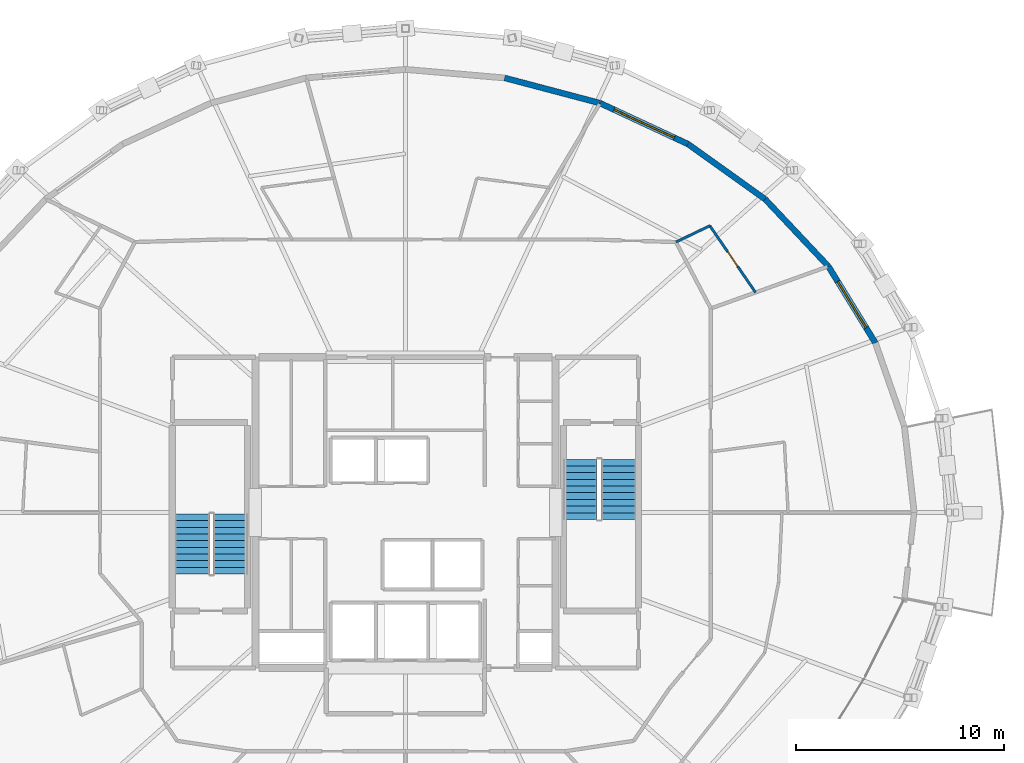
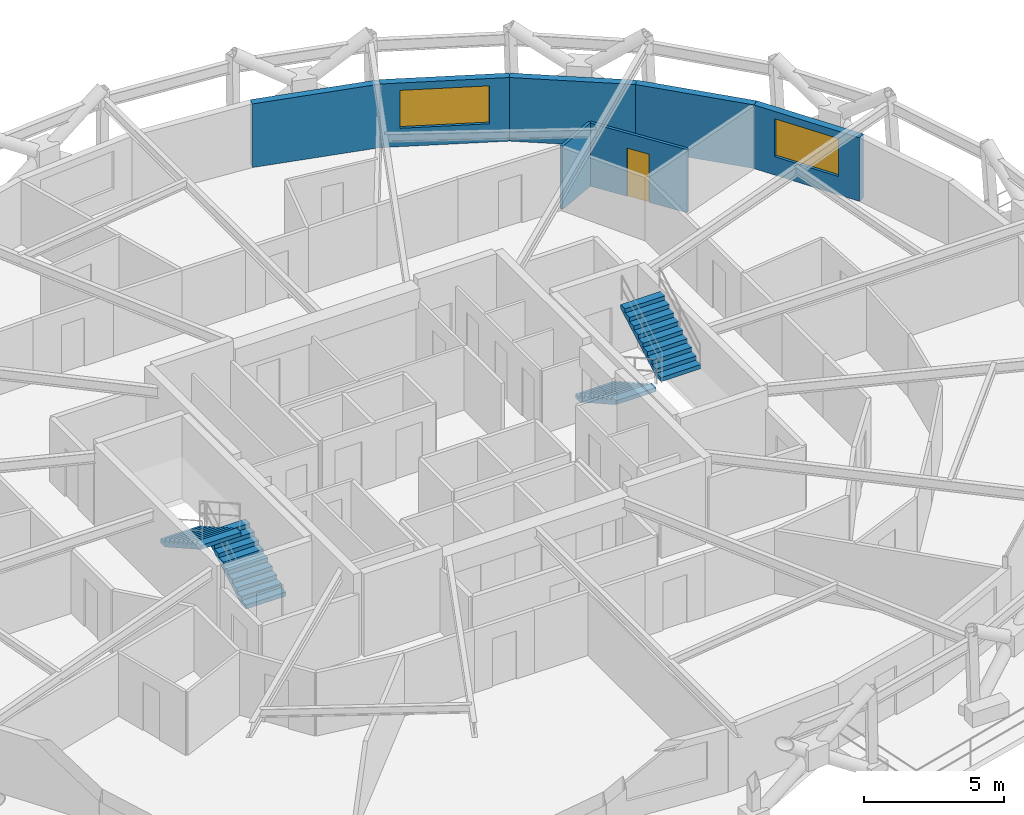
# One storey, part 13 of 14: 7 walls, 4 stair flights, 2 windows, 1 door, 3 openings, 2 elements without a shape of their own.
"""IFC4 building model written with IfcOpenShell, lengths in metres."""

import ifcopenshell
import ifcopenshell.guid

model = None  # the IFC model being written
_history = None  # IfcOwnerHistory: only IFC2X3 demands one
_inside = {}  # id of a spatial element -> (the spatial element, [elements in it])
_under = {}  # id of a project, library or spatial element -> (it, [spatial elements below it])
_declared = {}  # id of a project -> (the project, [libraries it declares])
_typed = {}  # id of a type object -> (the type object, [elements of that type])
_made_of = {}  # id of a material, layer set ... -> (it, [elements and type objects made of it])


def new_model(schema):
    """Start an empty IFC model of exactly this schema.

    Asked for "IFC4X3", IfcOpenShell would pick the latest addendum, in which some entities
    have other attributes; the version numbers below select the first issue.
    IFC2X3 requires an IfcOwnerHistory on every rooted entity: one is made here for all.
    """
    global model, _history
    if schema == "IFC4X3":
        model = ifcopenshell.file(schema_version=(4, 3, 0, 0))
    else:
        model = ifcopenshell.file(schema=schema)
    _inside.clear()
    _under.clear()
    _declared.clear()
    _typed.clear()
    _made_of.clear()
    _history = None
    if model.schema == "IFC2X3":
        org = make("IfcOrganization", Name="unknown")
        user = make(
            "IfcPersonAndOrganization",
            ThePerson=make("IfcPerson", FamilyName="unknown"),
            TheOrganization=org,
        )
        app = make(
            "IfcApplication",
            ApplicationDeveloper=org,
            Version="unknown",
            ApplicationFullName="unknown",
            ApplicationIdentifier="unknown",
        )
        _history = make(
            "IfcOwnerHistory",
            OwningUser=user,
            OwningApplication=app,
            ChangeAction="ADDED",
            CreationDate=0,
        )
    return model


def make(cls, **values):
    """One entity of the class cls with the attributes given. An attribute that is None is left unset."""
    return model.create_entity(
        cls, **{name: value for name, value in values.items() if value is not None}
    )


def rooted(cls, **values):
    """An entity with a GlobalId (a new one), such as an element, a storey or a relation."""
    return make(cls, GlobalId=ifcopenshell.guid.new(), OwnerHistory=_history, **values)


def si_unit(unit_type, name, prefix=None):
    """IfcSIUnit, for example si_unit("LENGTHUNIT", "METRE", prefix="MILLI")."""
    return make("IfcSIUnit", UnitType=unit_type, Prefix=prefix, Name=name)


def assignment(units):
    """IfcUnitAssignment: the units of a project."""
    return None if units is None else make("IfcUnitAssignment", Units=units)


def point(xyz):
    """IfcCartesianPoint."""
    return None if xyz is None else make("IfcCartesianPoint", Coordinates=xyz)


def direction(xyz):
    """IfcDirection."""
    return None if xyz is None else make("IfcDirection", DirectionRatios=xyz)


def frame(location, z_axis=None, x_axis=None):
    """IfcAxis2Placement3D, a coordinate frame: its origin and axes. An axis left out is left unset."""
    return make(
        "IfcAxis2Placement3D",
        Location=point(location),
        Axis=direction(z_axis),
        RefDirection=direction(x_axis),
    )


def frame_2d(location, x_axis=None):
    """IfcAxis2Placement2D, a coordinate frame in the plane: its origin and x axis."""
    return make(
        "IfcAxis2Placement2D", Location=point(location), RefDirection=direction(x_axis)
    )


def origin():
    """The frame at (0, 0, 0) with its axes left unset."""
    return frame((0.0, 0.0, 0.0))


def place(relative_to, where):
    """IfcLocalPlacement: puts the frame where relative to a parent placement (None: the world)."""
    return make(
        "IfcLocalPlacement", PlacementRelTo=relative_to, RelativePlacement=where
    )


def context(
    kind, dimensions, precision=None, world=None, true_north=None, identifier=None
):
    """IfcGeometricRepresentationContext, for example the 3D "Model" context."""
    return make(
        "IfcGeometricRepresentationContext",
        ContextIdentifier=identifier,
        ContextType=kind,
        CoordinateSpaceDimension=dimensions,
        Precision=precision,
        WorldCoordinateSystem=world,
        TrueNorth=true_north,
    )


def subcontext(parent, identifier, kind, view, scale=None):
    """IfcGeometricRepresentationSubContext, for example "Body" below "Model"."""
    return make(
        "IfcGeometricRepresentationSubContext",
        ContextIdentifier=identifier,
        ContextType=kind,
        ParentContext=parent,
        TargetScale=scale,
        TargetView=view,
    )


def project(units=None, contexts=None):
    """IfcProject with its units and contexts."""
    return rooted(
        "IfcProject",
        Name="project",
        RepresentationContexts=contexts,
        UnitsInContext=assignment(units),
    )


def spatial(cls, under=None, at=None, **own):
    """A site, building, storey or space (cls), placed at a placement, below another one or the project."""
    s = rooted(cls, ObjectPlacement=at, **own)
    if under is not None:
        _under.setdefault(under.id(), (under, []))[1].append(s)
    return s


def polyline(points):
    """IfcPolyline through the points."""
    return make("IfcPolyline", Points=[point(p) for p in points])


def profile(cls, at=None, kind="AREA", **sizes):
    """A parametric profile (cls). Its sizes go by their IFC names, for example OverallWidth=200.0."""
    return make(cls, ProfileType=kind, Position=at, **sizes)


def rectangle(**sizes):
    """IfcRectangleProfileDef."""
    return profile("IfcRectangleProfileDef", **sizes)


def outline(outer, holes=None, kind="AREA"):
    """IfcArbitraryClosedProfileDef: a profile drawn as a closed curve; with holes, ...WithVoids."""
    if holes is None:
        return make("IfcArbitraryClosedProfileDef", ProfileType=kind, OuterCurve=outer)
    return make(
        "IfcArbitraryProfileDefWithVoids",
        ProfileType=kind,
        OuterCurve=outer,
        InnerCurves=holes,
    )


def extrude(swept, where, along, depth):
    """IfcExtrudedAreaSolid: the profile swept, set in the frame where, extruded along a direction by depth."""
    return make(
        "IfcExtrudedAreaSolid",
        SweptArea=swept,
        Position=where,
        ExtrudedDirection=direction(along),
        Depth=depth,
    )


def shape(context_of_items, identifier, shape_type, items):
    """IfcShapeRepresentation: the items that make up one representation, for example the "Body"."""
    return make(
        "IfcShapeRepresentation",
        ContextOfItems=context_of_items,
        RepresentationIdentifier=identifier,
        RepresentationType=shape_type,
        Items=items,
    )


def material(Name=None, Category=None):
    """IfcMaterial."""
    return make("IfcMaterial", Name=Name, Category=Category)


def layer(
    of_material, thickness, ventilated=None, Name=None, Category=None, Priority=None
):
    """IfcMaterialLayer: one layer of a wall or slab, of a material (None: an air gap)."""
    return make(
        "IfcMaterialLayer",
        Material=of_material,
        LayerThickness=thickness,
        IsVentilated=ventilated,
        Name=Name,
        Category=Category,
        Priority=Priority,
    )


def layer_set(layers, Name=None):
    """IfcMaterialLayerSet."""
    return make("IfcMaterialLayerSet", MaterialLayers=layers, LayerSetName=Name)


def made_of(thing, what):
    """Note that an element or type object is made of a material, layer set ...; save() writes the relation."""
    if what is not None:
        _made_of.setdefault(what.id(), (what, []))[1].append(thing)
    return thing


def type_object(cls, material=None, **own):
    """A type object (cls), such as IfcWallType, which elements share."""
    return made_of(rooted(cls, **own), material)


def element(
    cls,
    number,
    at=None,
    inside=None,
    cuts=None,
    type_object=None,
    material=None,
    context=None,
    identifier="Body",
    shape_type=None,
    held_by="IfcProductDefinitionShape",
    body=None,
    shapes=None,
    **own,
):
    """One element of the class cls, such as IfcWall. Its Tag is "e" and its number.

    at: its placement. inside: the storey or other place that contains it. cuts: it is an
    opening in that element (IfcRelVoidsElement). A single representation is given by context,
    identifier, shape_type and body (its items); several are given by shapes. held_by: the class
    of the entity that holds the representations. save() writes the other relations.
    """
    e = rooted(cls, Tag="e%d" % number, ObjectPlacement=at, **own)
    if body is not None:
        shapes = [shape(context, identifier, shape_type, body)]
    if shapes is not None:
        e.Representation = make(held_by, Representations=shapes)
    if inside is not None:
        _inside.setdefault(inside.id(), (inside, []))[1].append(e)
    if cuts is not None:
        rooted(
            "IfcRelVoidsElement", RelatingBuildingElement=cuts, RelatedOpeningElement=e
        )
    if type_object is not None:
        _typed.setdefault(type_object.id(), (type_object, []))[1].append(e)
    return made_of(e, material)


def fill(opening, filler):
    """IfcRelFillsElement: the door or window that sits in an opening."""
    return rooted(
        "IfcRelFillsElement",
        RelatingOpeningElement=opening,
        RelatedBuildingElement=filler,
    )


def aggregate(whole, parts):
    """IfcRelAggregates: a whole, such as a stair, and the parts it consists of."""
    return rooted("IfcRelAggregates", RelatingObject=whole, RelatedObjects=parts)


def save(model, path):
    """Write the relations noted so far, then the file.

    IfcRelAggregates (storeys below a building ...), IfcRelContainedInSpatialStructure (elements
    in a storey), IfcRelDefinesByType, IfcRelAssociatesMaterial and IfcRelDeclares: one each for
    every whole, place, type object, material and project.
    """
    for whole, parts in _under.values():
        aggregate(whole, parts)
    for where, things in _inside.values():
        rooted(
            "IfcRelContainedInSpatialStructure",
            RelatedElements=things,
            RelatingStructure=where,
        )
    for kind, things in _typed.values():
        rooted("IfcRelDefinesByType", RelatedObjects=things, RelatingType=kind)
    for what, things in _made_of.values():
        rooted("IfcRelAssociatesMaterial", RelatedObjects=things, RelatingMaterial=what)
    for by, libraries in _declared.values():
        rooted("IfcRelDeclares", RelatingContext=by, RelatedDefinitions=libraries)
    model.write(path)


model = new_model("IFC4")

# Units and contexts
model_context = context("Model", 3, precision=1e-05, world=origin(), true_north=direction((0.0, 1.0)))
body_context = subcontext(model_context, "Body", "Model", "MODEL_VIEW")
ifc_project = project(units=[si_unit("LENGTHUNIT", "METRE"), si_unit("AREAUNIT", "SQUARE_METRE"), si_unit("VOLUMEUNIT", "CUBIC_METRE"), si_unit("PLANEANGLEUNIT", "RADIAN"), si_unit("MASSUNIT", "GRAM", prefix="KILO")], contexts=[model_context])

# Site, building, storey
site_placement = place(None, origin())
site = spatial("IfcSite", under=ifc_project, at=site_placement, CompositionType="ELEMENT")
building_placement = place(site_placement, origin())
building = spatial("IfcBuilding", under=site, at=building_placement, Name="Veldorina Hangang Commons", CompositionType="ELEMENT")
storey_placement = place(building_placement, frame((0.0, 0.0, 200.0)))
storey = spatial("IfcBuildingStorey", under=building, at=storey_placement, Name="L52", CompositionType="ELEMENT", Elevation=200.0)

# Wall, opening, window
ifc_material_1 = material(Name="Stone Roman Travertine", Category="masonry")
ifc_layer_1 = layer(ifc_material_1, 0.280029296875)
ifc_layer_set_1 = layer_set([ifc_layer_1], Name="Stone Roman Travertine")
wall_type_1 = type_object("IfcWallType", Name="EW-TRAV-280", PredefinedType="STANDARD", material=ifc_layer_set_1)
wall_1_placement = place(storey_placement, frame((54.543212890625, 32.134033203125, 0.0), z_axis=(0.0, 0.0, 1.0), x_axis=(-0.522997521468, 0.852334202375, 0.0)))
wall_1 = element("IfcWall", 1, at=wall_1_placement, inside=storey, type_object=wall_type_1, Name="L52 travertine facade wall 02", PredefinedType="STANDARD", context=body_context, shape_type="SweptSolid", body=[
    extrude(rectangle(XDim=4.3115234375, YDim=0.280029296875, at=frame_2d((2.15576171875, 0.0))), origin(), (0.0, 0.0, 1.0), 2.77001953125),
])
opening_1_placement = place(wall_1_placement, frame((0.855712890625, 0.0, 0.800048828125)))
opening_1 = element("IfcOpeningElement", 2, at=opening_1_placement, cuts=wall_1, Name="Opening W-02", PredefinedType="OPENING", context=body_context, shape_type="SweptSolid", body=[
    extrude(rectangle(XDim=2.60009765625, YDim=1.64990234375, at=frame_2d((1.300048828125, 0.824951171875))), frame((0.0, 0.14990234375, 0.0), z_axis=(0.0, -1.0, 0.0), x_axis=(1.0, 0.0, 0.0)), (0.0, 0.0, 1.0), 0.300048828125),
])
ifc_material_2 = material(Name="Glass Low-E Triple IGU", Category="glass")
window_type_1 = type_object("IfcWindowType", Name="WIN-TWR-2600", PartitioningType="SINGLE_PANEL", PredefinedType="WINDOW", material=ifc_material_2)
window_1_placement = place(opening_1_placement, origin())
window_1 = element("IfcWindow", 3, at=window_1_placement, inside=storey, type_object=window_type_1, Name="L52 facade window 02", OverallHeight=1.64990234375, OverallWidth=2.60009765625, PartitioningType="SINGLE_PANEL", PredefinedType="WINDOW", context=body_context, shape_type="SweptSolid", body=[
    extrude(rectangle(XDim=2.60009765625, YDim=1.64990234375, at=frame_2d((1.300048828125, 0.824951171875))), frame((0.0, 0.030029296875, 0.0), z_axis=(0.0, -1.0, 0.0), x_axis=(1.0, 0.0, 0.0)), (0.0, 0.0, 1.0), 0.06005859375),
])
fill(opening_1, window_1)

# Walls
wall_2_placement = place(storey_placement, frame((52.288330078125, 35.808837890625, 0.0), z_axis=(0.0, 0.0, 1.0), x_axis=(-0.685717407763, 0.727867870352, 0.0)))
element("IfcWall", 4, at=wall_2_placement, inside=storey, type_object=wall_type_1, Name="L52 travertine facade wall 03", PredefinedType="STANDARD", context=body_context, shape_type="SweptSolid", body=[
    extrude(rectangle(XDim=4.42529296875, YDim=0.280029296875, at=frame_2d((2.212646484375, 0.0))), origin(), (0.0, 0.0, 1.0), 2.77001953125),
])
wall_3_placement = place(storey_placement, frame((49.25390625, 39.02978515625, 0.0), z_axis=(0.0, 0.0, 1.0), x_axis=(-0.813519294528, 0.581537924327, 0.0)))
element("IfcWall", 5, at=wall_3_placement, inside=storey, type_object=wall_type_1, Name="L52 travertine facade wall 04", PredefinedType="STANDARD", context=body_context, shape_type="SweptSolid", body=[
    extrude(rectangle(XDim=4.54541015625, YDim=0.280029296875, at=frame_2d((2.272705078125, 0.0))), origin(), (0.0, 0.0, 1.0), 2.77001953125),
])

# Wall, opening, window
wall_4_placement = place(storey_placement, frame((45.55615234375, 41.673095703125, 0.0), z_axis=(0.0, 0.0, 1.0), x_axis=(-0.906555409807, 0.422086826315, 0.0)))
wall_4 = element("IfcWall", 6, at=wall_4_placement, inside=storey, type_object=wall_type_1, Name="L52 travertine facade wall 05", PredefinedType="STANDARD", context=body_context, shape_type="SweptSolid", body=[
    extrude(rectangle(XDim=4.6533203125, YDim=0.280029296875, at=frame_2d((2.32666015625, 0.0))), origin(), (0.0, 0.0, 1.0), 2.77001953125),
])
opening_2_placement = place(wall_4_placement, frame((0.726806640625, 0.0, 0.800048828125)))
opening_2 = element("IfcOpeningElement", 7, at=opening_2_placement, cuts=wall_4, Name="Opening W-01", PredefinedType="OPENING", context=body_context, shape_type="SweptSolid", body=[
    extrude(rectangle(XDim=3.199951171875, YDim=1.64990234375, at=frame_2d((1.60009765625, 0.824951171875))), frame((0.0, 0.14990234375, 0.0), z_axis=(0.0, -1.0, 0.0), x_axis=(1.0, 0.0, 0.0)), (0.0, 0.0, 1.0), 0.300048828125),
])
window_type_2 = type_object("IfcWindowType", Name="WIN-TWR-3200", PartitioningType="SINGLE_PANEL", PredefinedType="WINDOW", material=ifc_material_2)
window_2_placement = place(opening_2_placement, origin())
window_2 = element("IfcWindow", 8, at=window_2_placement, inside=storey, type_object=window_type_2, Name="L52 facade window 05", OverallHeight=1.64990234375, OverallWidth=3.199951171875, PartitioningType="SINGLE_PANEL", PredefinedType="WINDOW", context=body_context, shape_type="SweptSolid", body=[
    extrude(rectangle(XDim=3.199951171875, YDim=1.64990234375, at=frame_2d((1.60009765625, 0.824951171875))), frame((0.0, 0.030029296875, 0.0), z_axis=(0.0, -1.0, 0.0), x_axis=(1.0, 0.0, 0.0)), (0.0, 0.0, 1.0), 0.06005859375),
])
fill(opening_2, window_2)

# Wall
wall_5_placement = place(storey_placement, frame((41.337646484375, 43.63720703125, 0.0), z_axis=(0.0, 0.0, 1.0), x_axis=(-0.966819561224, 0.255460243549, 0.0)))
element("IfcWall", 9, at=wall_5_placement, inside=storey, type_object=wall_type_1, Name="L52 travertine facade wall 06", PredefinedType="STANDARD", context=body_context, shape_type="SweptSolid", body=[
    extrude(rectangle(XDim=4.734375, YDim=0.280029296875, at=frame_2d((2.3671875, 0.0))), origin(), (0.0, 0.0, 1.0), 2.77001953125),
])

# Wall, opening, door
ifc_material_3 = material(Name="Gypsum Acoustic Stud Partition", Category="gypsum")
ifc_layer_2 = layer(ifc_material_3, 0.1201171875)
ifc_layer_set_2 = layer_set([ifc_layer_2], Name="Gypsum Acoustic Stud Partition")
wall_type_2 = type_object("IfcWallType", Name="WL-PART-120", PredefinedType="PARTITIONING", material=ifc_layer_set_2)
wall_6_placement = place(storey_placement, frame((48.79248046875, 34.556396484375, 0.0), z_axis=(0.0, 0.0, 1.0), x_axis=(-0.56513068161, 0.825001401637, 0.0)))
wall_6 = element("IfcWall", 10, at=wall_6_placement, inside=storey, type_object=wall_type_2, Name="L52 Studio 3 bath front wall 092", PredefinedType="PARTITIONING", context=body_context, shape_type="SweptSolid", body=[
    extrude(rectangle(XDim=3.878173828125, YDim=0.1201171875, at=frame_2d((1.93896484375, 0.0))), origin(), (0.0, 0.0, 1.0), 2.75),
])
opening_3_placement = place(wall_6_placement, frame((1.509033203125, 0.0, 0.0)))
opening_3 = element("IfcOpeningElement", 11, at=opening_3_placement, cuts=wall_6, Name="Opening D-01", PredefinedType="OPENING", context=body_context, shape_type="SweptSolid", body=[
    extrude(rectangle(XDim=0.860107421875, YDim=2.10009765625, at=frame_2d((0.43017578125, 1.050048828125))), frame((0.0, 0.070068359375, 0.0), z_axis=(0.0, -1.0, 0.0), x_axis=(1.0, 0.0, 0.0)), (0.0, 0.0, 1.0), 0.14013671875),
])
ifc_material_4 = material(Name="Timber Moisture-Resistant Core", Category="wood")
door_type = type_object("IfcDoorType", Name="DR-WET-860", OperationType="SINGLE_SWING_LEFT", PredefinedType="DOOR", material=ifc_material_4)
door_placement = place(opening_3_placement, origin())
door = element("IfcDoor", 12, at=door_placement, inside=storey, type_object=door_type, Name="L52 Studio 3 bathroom door 026", OperationType="SINGLE_SWING_RIGHT", OverallHeight=2.10009765625, OverallWidth=0.860107421875, PredefinedType="DOOR", context=body_context, shape_type="SweptSolid", body=[
    extrude(rectangle(XDim=0.860107421875, YDim=2.10009765625, at=frame_2d((0.43017578125, 1.050048828125))), frame((0.0, 0.02490234375, 0.0), z_axis=(0.0, -1.0, 0.0), x_axis=(1.0, 0.0, 0.0)), (0.0, 0.0, 1.0), 0.050048828125),
])
fill(opening_3, door)

# Wall
wall_7_placement = place(storey_placement, frame((44.97509765625, 36.97509765625, 0.0), z_axis=(0.0, 0.0, 1.0), x_axis=(0.90143431694, 0.432915895115, 0.0)))
element("IfcWall", 13, at=wall_7_placement, inside=storey, type_object=wall_type_2, Name="L52 Studio 3 bath side wall 093", PredefinedType="PARTITIONING", context=body_context, shape_type="SweptSolid", body=[
    extrude(rectangle(XDim=1.803466796875, YDim=0.1201171875, at=frame_2d((0.90185546875, 0.0))), origin(), (0.0, 0.0, 1.0), 2.75),
])

# Stair, stair flights
ifc_material_5 = material(Name="Concrete C40/50", Category="concrete")
stair_type = type_object("IfcStairType", Name="STR-DOG-1650-20R", PredefinedType="HALF_TURN_STAIR", material=ifc_material_5)
stair_1_placement = place(storey_placement, origin())
stair_1 = element("IfcStair", 14, at=stair_1_placement, inside=storey, type_object=stair_type, Name="L52 Exit stair ST-1", PredefinedType="HALF_TURN_STAIR")
stair_flight_type = type_object("IfcStairFlightType", Name="SFL-STR-1650-20R", PredefinedType="STRAIGHT", material=ifc_material_5)
stair_flight_1_placement = place(storey_placement, frame((23.625, 21.050048828125, 0.0), z_axis=(0.0, 0.0, 1.0), x_axis=(0.0, 1.0, 0.0)))
stair_flight_1 = element("IfcStairFlight", 15, at=stair_flight_1_placement, type_object=stair_flight_type, Name="ST-1 flight 1", NumberOfRisers=10, NumberOfTreads=9, PredefinedType="STRAIGHT", RiserHeight=0.18, TreadLength=0.32, context=body_context, shape_type="SweptSolid", body=[
    extrude(outline(polyline([(0.0, 0.0), (0.0, 0.179931640625), (0.320068359375, 0.179931640625), (0.320068359375, 0.360107421875), (0.639892578125, 0.360107421875), (0.639892578125, 0.5400390625), (0.9599609375, 0.5400390625), (0.9599609375, 0.719970703125), (1.280029296875, 0.719970703125), (1.280029296875, 0.89990234375), (1.60009765625, 0.89990234375), (1.60009765625, 1.080078125), (1.919921875, 1.080078125), (1.919921875, 1.260009765625), (2.239990234375, 1.260009765625), (2.239990234375, 1.43994140625), (2.56005859375, 1.43994140625), (2.56005859375, 1.6201171875), (2.8798828125, 1.6201171875), (2.8798828125, 1.800048828125), (2.8798828125, 1.447998046875), (0.3056640625, 0.0), (0.0, 0.0)])), frame((0.0, 0.824951171875, 0.0), z_axis=(0.0, -1.0, 0.0), x_axis=(1.0, 0.0, 0.0)), (0.0, 0.0, 1.0), 1.64990234375),
])
stair_flight_2_placement = place(storey_placement, frame((21.77490234375, 23.929931640625, 1.800048828125), z_axis=(0.0, 0.0, 1.0), x_axis=(0.0, -1.0, 0.0)))
stair_flight_2 = element("IfcStairFlight", 16, at=stair_flight_2_placement, type_object=stair_flight_type, Name="ST-1 flight 2", NumberOfRisers=10, NumberOfTreads=9, PredefinedType="STRAIGHT", RiserHeight=0.18, TreadLength=0.32, context=body_context, shape_type="SweptSolid", body=[
    extrude(outline(polyline([(0.0, 0.0), (0.0, 0.179931640625), (0.320068359375, 0.179931640625), (0.320068359375, 0.360107421875), (0.639892578125, 0.360107421875), (0.639892578125, 0.5400390625), (0.9599609375, 0.5400390625), (0.9599609375, 0.719970703125), (1.280029296875, 0.719970703125), (1.280029296875, 0.89990234375), (1.60009765625, 0.89990234375), (1.60009765625, 1.080078125), (1.919921875, 1.080078125), (1.919921875, 1.260009765625), (2.239990234375, 1.260009765625), (2.239990234375, 1.43994140625), (2.56005859375, 1.43994140625), (2.56005859375, 1.6201171875), (2.8798828125, 1.6201171875), (2.8798828125, 1.800048828125), (2.8798828125, 1.447998046875), (0.3056640625, 0.0), (0.0, 0.0)])), frame((0.0, 0.824951171875, 0.0), z_axis=(0.0, -1.0, 0.0), x_axis=(1.0, 0.0, 0.0)), (0.0, 0.0, 1.0), 1.64990234375),
])
aggregate(stair_1, [stair_flight_1, stair_flight_2])

stair_2_placement = place(storey_placement, origin())
stair_2 = element("IfcStair", 17, at=stair_2_placement, inside=storey, type_object=stair_type, Name="L52 Exit stair ST-2", PredefinedType="HALF_TURN_STAIR")
stair_flight_3_placement = place(storey_placement, frame((40.375, 26.550048828125, 0.0), z_axis=(0.0, 0.0, 1.0), x_axis=(0.0, -1.0, 0.0)))
stair_flight_3 = element("IfcStairFlight", 18, at=stair_flight_3_placement, type_object=stair_flight_type, Name="ST-2 flight 1", NumberOfRisers=10, NumberOfTreads=9, PredefinedType="STRAIGHT", RiserHeight=0.18, TreadLength=0.32, context=body_context, shape_type="SweptSolid", body=[
    extrude(outline(polyline([(0.0, 0.0), (0.0, 0.179931640625), (0.320068359375, 0.179931640625), (0.320068359375, 0.360107421875), (0.639892578125, 0.360107421875), (0.639892578125, 0.5400390625), (0.9599609375, 0.5400390625), (0.9599609375, 0.719970703125), (1.280029296875, 0.719970703125), (1.280029296875, 0.89990234375), (1.60009765625, 0.89990234375), (1.60009765625, 1.080078125), (1.919921875, 1.080078125), (1.919921875, 1.260009765625), (2.239990234375, 1.260009765625), (2.239990234375, 1.43994140625), (2.56005859375, 1.43994140625), (2.56005859375, 1.6201171875), (2.8798828125, 1.6201171875), (2.8798828125, 1.800048828125), (2.8798828125, 1.447998046875), (0.3056640625, 0.0), (0.0, 0.0)])), frame((0.0, 0.824951171875, 0.0), z_axis=(0.0, -1.0, 0.0), x_axis=(1.0, 0.0, 0.0)), (0.0, 0.0, 1.0), 1.64990234375),
])
stair_flight_4_placement = place(storey_placement, frame((42.22509765625, 23.669921875, 1.800048828125), z_axis=(0.0, 0.0, 1.0), x_axis=(0.0, 1.0, 0.0)))
stair_flight_4 = element("IfcStairFlight", 19, at=stair_flight_4_placement, type_object=stair_flight_type, Name="ST-2 flight 2", NumberOfRisers=10, NumberOfTreads=9, PredefinedType="STRAIGHT", RiserHeight=0.18, TreadLength=0.32, context=body_context, shape_type="SweptSolid", body=[
    extrude(outline(polyline([(0.0, 0.0), (0.0, 0.179931640625), (0.320068359375, 0.179931640625), (0.320068359375, 0.360107421875), (0.639892578125, 0.360107421875), (0.639892578125, 0.5400390625), (0.9599609375, 0.5400390625), (0.9599609375, 0.719970703125), (1.280029296875, 0.719970703125), (1.280029296875, 0.89990234375), (1.60009765625, 0.89990234375), (1.60009765625, 1.080078125), (1.919921875, 1.080078125), (1.919921875, 1.260009765625), (2.239990234375, 1.260009765625), (2.239990234375, 1.43994140625), (2.56005859375, 1.43994140625), (2.56005859375, 1.6201171875), (2.8798828125, 1.6201171875), (2.8798828125, 1.800048828125), (2.8798828125, 1.447998046875), (0.3056640625, 0.0), (0.0, 0.0)])), frame((0.0, 0.824951171875, 0.0), z_axis=(0.0, -1.0, 0.0), x_axis=(1.0, 0.0, 0.0)), (0.0, 0.0, 1.0), 1.64990234375),
])
aggregate(stair_2, [stair_flight_3, stair_flight_4])

save(model, "model.ifc")
